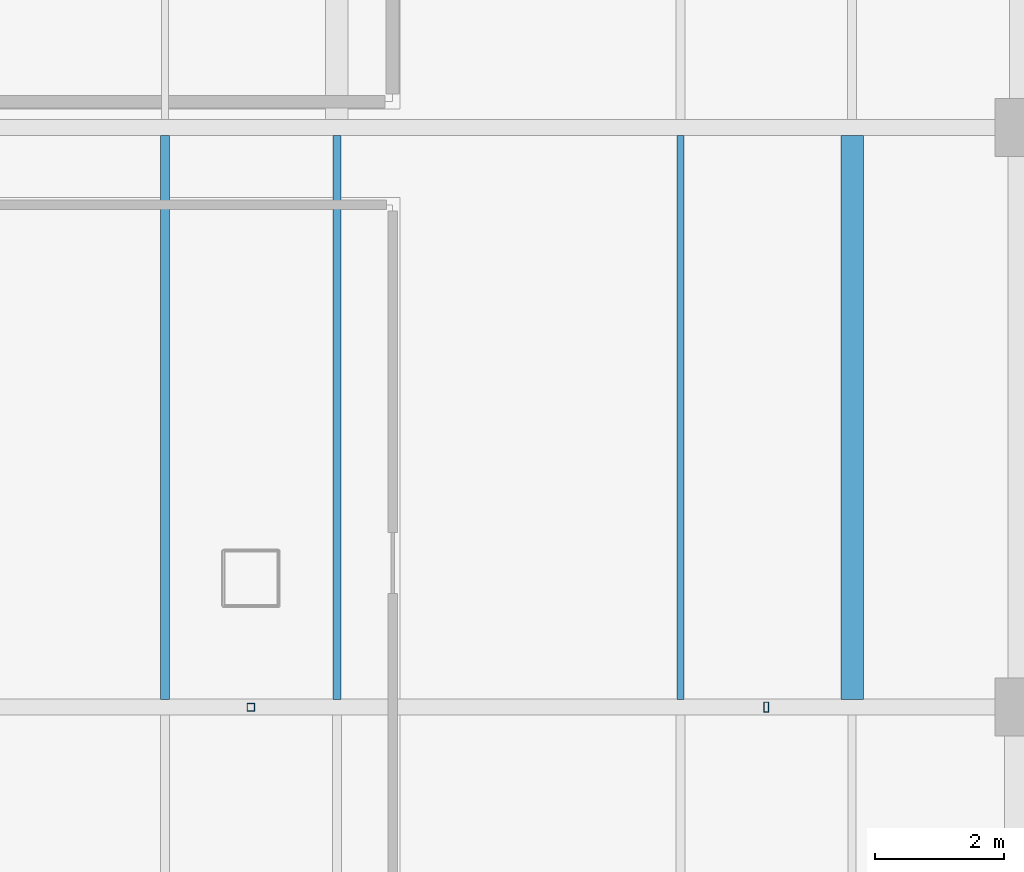
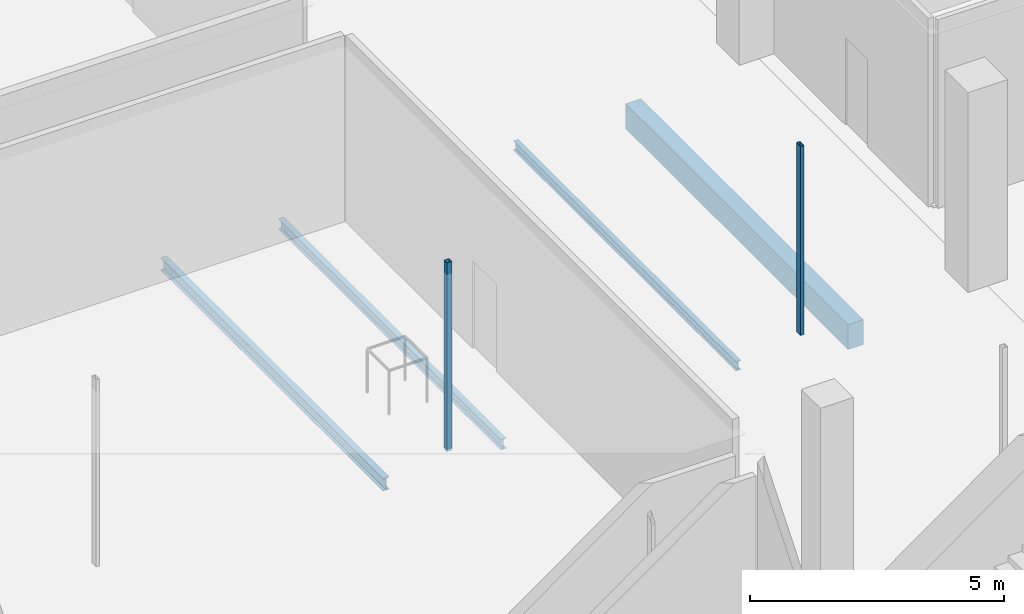
# One storey, part 18 of 127: 4 beams, 2 members.
"""IFC4 building model written with IfcOpenShell, lengths in metres."""

from ifc_helpers import new_model, si_unit, derived_unit, direction, frame, origin, origin_2d, place, context, subcontext, project, spatial, rectangle, hollow_rectangle, i_section, extrude, material, material_profile, profile_set, type_object, element, save


model = new_model("IFC4")

# Units and contexts
model_context = context("Model", 3, precision=1e-05, world=origin(), true_north=direction((0.0, 1.0)))
body_context = subcontext(model_context, "Body", "Model", "MODEL_VIEW")
ifc_project = project(units=[si_unit("LENGTHUNIT", "METRE"), si_unit("AREAUNIT", "SQUARE_METRE"), si_unit("VOLUMEUNIT", "CUBIC_METRE"), si_unit("PLANEANGLEUNIT", "RADIAN"), si_unit("MASSUNIT", "GRAM", prefix="KILO"), derived_unit("THERMALTRANSMITTANCEUNIT", [(si_unit("POWERUNIT", "WATT"), 1), (si_unit("LENGTHUNIT", "METRE"), -2), (si_unit("THERMODYNAMICTEMPERATUREUNIT", "KELVIN"), -1)])], contexts=[model_context])

# Site, building, storey
site_placement = place(None, origin())
site = spatial("IfcSite", under=ifc_project, at=site_placement, CompositionType="ELEMENT")
building_placement = place(site_placement, origin())
building = spatial("IfcBuilding", under=site, at=building_placement, Name="Nallur Shell Playhouse", CompositionType="ELEMENT")
storey_placement = place(building_placement, frame((0.0, 0.0, 5.39990234375)))
storey = spatial("IfcBuildingStorey", under=building, at=storey_placement, Name="L02", CompositionType="ELEMENT", Elevation=5.39990234375)

# Beams
ifc_material_1 = material(Name="Steel E250", Category="steel")
ifc_material_profile_1 = material_profile(ifc_material_1, i_section(OverallWidth=0.110107421875, OverallDepth=0.22509765625, WebThickness=0.006591796875, FlangeThickness=0.01171875, FilletRadius=0.011962890625, at=origin_2d()), Name="ISMB 225")
ifc_profile_set_1 = profile_set([ifc_material_profile_1], Name="Steel E250")
beam_type_1 = type_object("IfcBeamType", Name="BM-JST-ISMB225", PredefinedType="JOIST", material=ifc_profile_set_1)
beam_1_placement = place(storey_placement, frame((34.666748046875, 32.123046875, -0.392333984375), z_axis=(0.0, 1.0, 0.0), x_axis=(-1.0, 0.0, 0.0)))
element("IfcBeam", 1, at=beam_1_placement, inside=storey, type_object=beam_type_1, Name="L02 secondary joist 4-D-503", PredefinedType="JOIST", context=body_context, shape_type="SweptSolid", body=[
    extrude(i_section(OverallWidth=0.110107421875, OverallDepth=0.22509765625, WebThickness=0.006591796875, FlangeThickness=0.01171875, FilletRadius=0.011962890625, at=origin_2d()), origin(), (0.0, 0.0, 1.0), 8.75390625),
])
ifc_material_profile_2 = material_profile(ifc_material_1, i_section(OverallWidth=0.125, OverallDepth=0.25, WebThickness=0.0068359375, FlangeThickness=0.012451171875, FilletRadius=0.012939453125, at=origin_2d()), Name="ISMB 250")
ifc_profile_set_2 = profile_set([ifc_material_profile_2], Name="Steel E250")
beam_type_2 = type_object("IfcBeamType", Name="BM-JST-ISMB250", PredefinedType="JOIST", material=ifc_profile_set_2)
beam_2_placement = place(storey_placement, frame((29.333251953125, 32.123046875, -0.40478515625), z_axis=(0.0, 1.0, 0.0), x_axis=(-1.0, 0.0, 0.0)))
element("IfcBeam", 2, at=beam_2_placement, inside=storey, type_object=beam_type_2, Name="L02 secondary joist 3-D-496", PredefinedType="JOIST", context=body_context, shape_type="SweptSolid", body=[
    extrude(i_section(OverallWidth=0.125, OverallDepth=0.25, WebThickness=0.0068359375, FlangeThickness=0.012451171875, FilletRadius=0.012939453125, at=origin_2d()), origin(), (0.0, 0.0, 1.0), 8.75390625),
])
ifc_material_profile_3 = material_profile(ifc_material_1, i_section(OverallWidth=0.139892578125, OverallDepth=0.300048828125, WebThickness=0.0078125, FlangeThickness=0.01318359375, FilletRadius=0.013916015625, at=origin_2d()), Name="ISMB 300")
ifc_profile_set_3 = profile_set([ifc_material_profile_3], Name="Steel E250")
beam_type_3 = type_object("IfcBeamType", Name="BM-JST-ISMB300", PredefinedType="JOIST", material=ifc_profile_set_3)
beam_3_placement = place(storey_placement, frame((26.666748046875, 32.123046875, -0.429931640625), z_axis=(0.0, 1.0, 0.0), x_axis=(-1.0, 0.0, 0.0)))
element("IfcBeam", 3, at=beam_3_placement, inside=storey, type_object=beam_type_3, Name="L02 secondary joist 3-D-495", PredefinedType="JOIST", context=body_context, shape_type="SweptSolid", body=[
    extrude(i_section(OverallWidth=0.139892578125, OverallDepth=0.300048828125, WebThickness=0.0078125, FlangeThickness=0.01318359375, FilletRadius=0.013916015625, at=origin_2d()), origin(), (0.0, 0.0, 1.0), 8.75390625),
])
ifc_material_2 = material(Name="Concrete M30", Category="concrete")
ifc_material_profile_4 = material_profile(ifc_material_2, rectangle(XDim=0.35009765625, YDim=0.60009765625, at=origin_2d()), Name="RC 350x600")
ifc_profile_set_4 = profile_set([ifc_material_profile_4], Name="Concrete M30")
beam_type_4 = type_object("IfcBeamType", Name="BM-RC-350x600", PredefinedType="JOIST", material=ifc_profile_set_4)
beam_4_placement = place(storey_placement, frame((37.333251953125, 32.123046875, -0.579833984375), z_axis=(0.0, 1.0, 0.0), x_axis=(-1.0, 0.0, 0.0)))
element("IfcBeam", 4, at=beam_4_placement, inside=storey, type_object=beam_type_4, Name="L02 secondary joist 4-D-504", PredefinedType="JOIST", context=body_context, shape_type="SweptSolid", body=[
    extrude(rectangle(XDim=0.35009765625, YDim=0.60009765625, at=origin_2d()), origin(), (0.0, 0.0, 1.0), 8.75390625),
])

# Members
ifc_material_profile_5 = material_profile(ifc_material_1, hollow_rectangle(XDim=0.080078125, YDim=0.159912109375, WallThickness=0.006103515625, at=origin_2d()), Name="RHS 160x80x6")
ifc_profile_set_5 = profile_set([ifc_material_profile_5], Name="Steel E250")
member_type_1 = type_object("IfcMemberType", Name="MB-STUD-RHS160", PredefinedType="STUD", material=ifc_profile_set_5)
member_1_placement = place(storey_placement, frame((36.0, 32.0, 0.0), z_axis=(0.0, 0.0, 1.0), x_axis=(1.0, 0.0, 0.0)))
element("IfcMember", 5, at=member_1_placement, inside=storey, type_object=member_type_1, Name="L02 acoustic isolation wall stud 12", PredefinedType="STUD", context=body_context, shape_type="SweptSolid", body=[
    extrude(hollow_rectangle(XDim=0.080078125, YDim=0.159912109375, WallThickness=0.006103515625, at=origin_2d()), origin(), (0.0, 0.0, 1.0), 4.5400390625),
])
ifc_material_profile_6 = material_profile(ifc_material_1, hollow_rectangle(XDim=0.1201171875, YDim=0.1201171875, WallThickness=0.006103515625, at=origin_2d()), Name="SHS 120x120x6")
ifc_profile_set_6 = profile_set([ifc_material_profile_6], Name="Steel E250")
member_type_2 = type_object("IfcMemberType", Name="MB-STUD-SHS120", PredefinedType="STUD", material=ifc_profile_set_6)
member_2_placement = place(storey_placement, frame((28.0, 32.0, 0.0), z_axis=(0.0, 0.0, 1.0), x_axis=(1.0, 0.0, 0.0)))
element("IfcMember", 6, at=member_2_placement, inside=storey, type_object=member_type_2, Name="L02 acoustic isolation wall stud 11", PredefinedType="STUD", context=body_context, shape_type="SweptSolid", body=[
    extrude(hollow_rectangle(XDim=0.1201171875, YDim=0.1201171875, WallThickness=0.006103515625, at=origin_2d()), origin(), (0.0, 0.0, 1.0), 4.5400390625),
])

save(model, "model.ifc")
